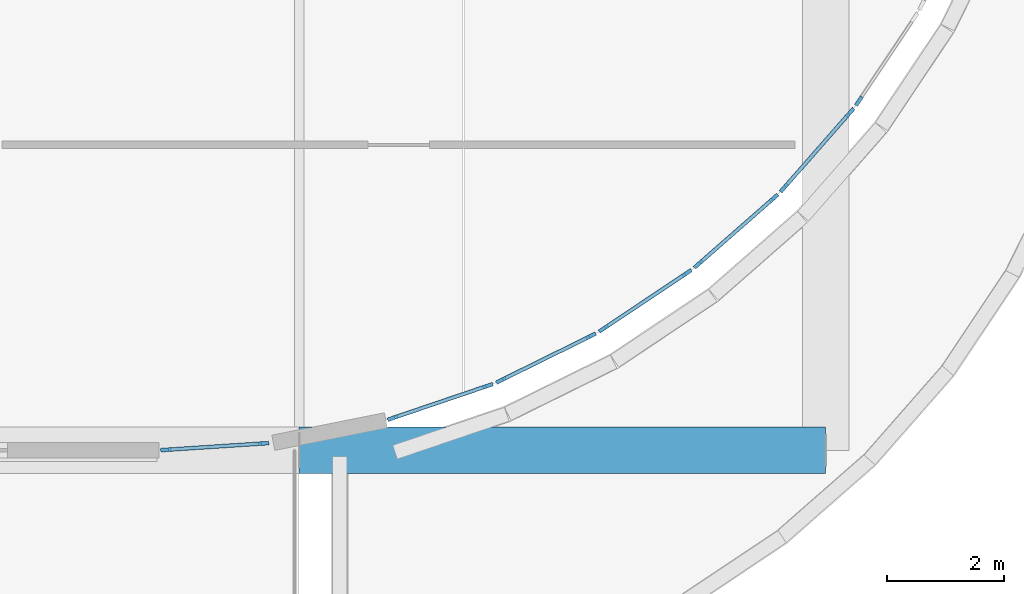
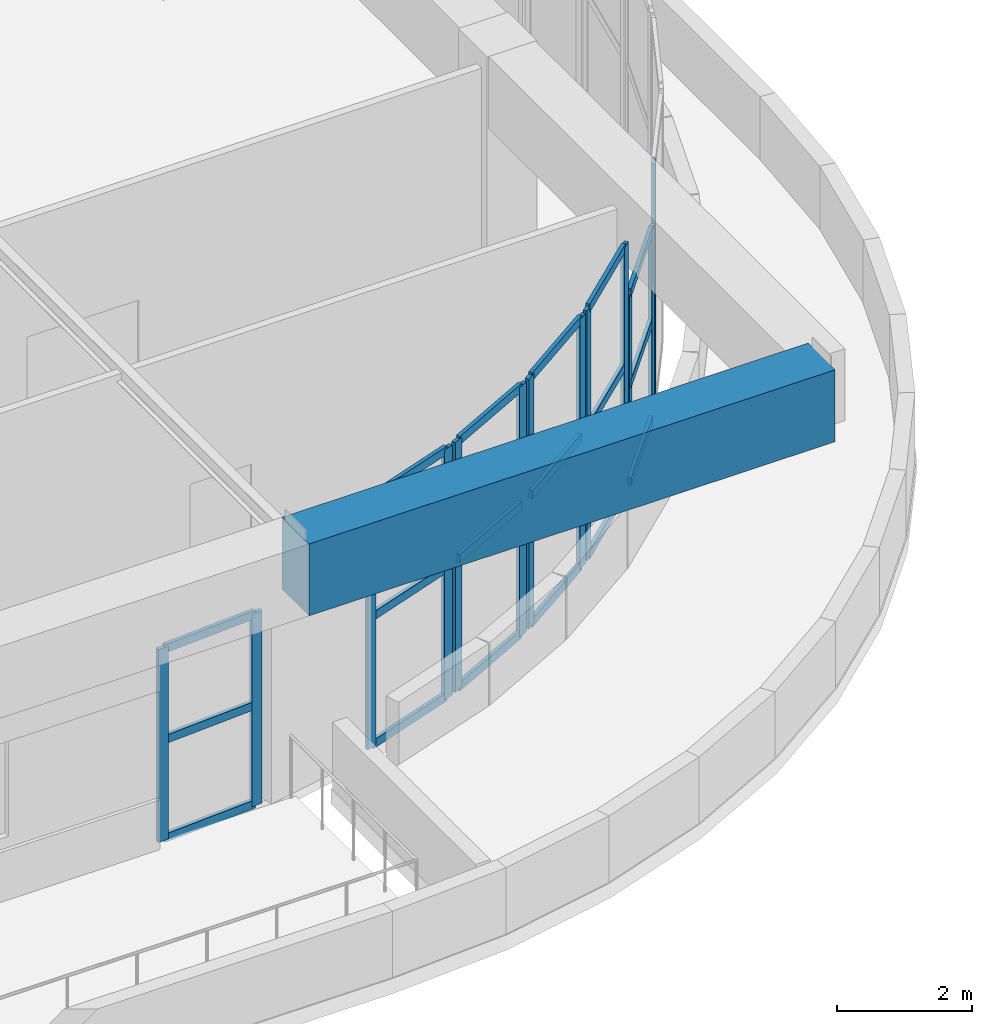
# One storey, part 10 of 67: 31 members, 1 beam, 7 elements without a shape of their own.
"""IFC4 building model written with IfcOpenShell, lengths in metres."""

from ifc_helpers import new_model, si_unit, direction, frame, origin, origin_2d, place, context, subcontext, project, spatial, rectangle, extrude, material, layer, layer_set, material_profile, profile_set, type_object, element, aggregate, save


model = new_model("IFC4")

# Units and contexts
model_context = context("Model", 3, precision=1e-05, world=origin(), true_north=direction((0.0, 1.0)))
body_context = subcontext(model_context, "Body", "Model", "MODEL_VIEW")
ifc_project = project(units=[si_unit("LENGTHUNIT", "METRE"), si_unit("AREAUNIT", "SQUARE_METRE"), si_unit("VOLUMEUNIT", "CUBIC_METRE"), si_unit("PLANEANGLEUNIT", "RADIAN"), si_unit("MASSUNIT", "GRAM", prefix="KILO")], contexts=[model_context])

# Site, building, storey
site_placement = place(None, origin())
site = spatial("IfcSite", under=ifc_project, at=site_placement, CompositionType="ELEMENT")
building_placement = place(site_placement, origin())
building = spatial("IfcBuilding", under=site, at=building_placement, Name="Cendralis Terraced Arcade", CompositionType="ELEMENT")
storey_placement = place(building_placement, frame((0.0, 0.0, 15.0)))
storey = spatial("IfcBuildingStorey", under=building, at=storey_placement, Name="L03", CompositionType="ELEMENT", Elevation=15.0)

# Curtain wall, member
ifc_material_1 = material(Name="Anodised aluminium EN AW-6063 T6", Category="aluminium")
ifc_layer = layer(ifc_material_1, 0.179931640625, Name="CW-UNIT-A")
ifc_layer_set = layer_set([ifc_layer], Name="Anodised aluminium EN AW-6063 T6")
curtain_wall_type = type_object("IfcCurtainWallType", Name="CW-UNIT-A", PredefinedType="USERDEFINED", material=ifc_layer_set)
curtain_wall_1_placement = place(storey_placement, origin())
curtain_wall_1 = element("IfcCurtainWall", 1, at=curtain_wall_1_placement, inside=storey, type_object=curtain_wall_type, Name="Exterior Unitised Facade CW-L03-0263", ObjectType="UNITISED FACADE", PredefinedType="USERDEFINED")
ifc_material_profile_1 = material_profile(ifc_material_1, rectangle(XDim=0.06494140625, YDim=0.179931640625, at=origin_2d()), Name="ALU-MUL-65x180")
ifc_profile_set_1 = profile_set([ifc_material_profile_1], Name="Anodised aluminium EN AW-6063 T6")
member_type_1 = type_object("IfcMemberType", Name="CW-UNIT-A-MUL", PredefinedType="MULLION", material=ifc_profile_set_1)
member_1_placement = place(storey_placement, frame((130.768310546875, 15.5703125, 0.0), z_axis=(0.0, 0.0, 1.0), x_axis=(0.831471454125, -0.555567476528, 0.0)))
member_1 = element("IfcMember", 2, at=member_1_placement, type_object=member_type_1, Name="CW-U1 mullion 2", PredefinedType="MULLION", context=body_context, shape_type="SweptSolid", body=[
    extrude(rectangle(XDim=0.06494140625, YDim=0.179931640625, at=origin_2d()), origin(), (0.0, 0.0, 1.0), 4.52001953125),
])
aggregate(curtain_wall_1, [member_1])

# Curtain wall, members
curtain_wall_2_placement = place(storey_placement, origin())
curtain_wall_2 = element("IfcCurtainWall", 3, at=curtain_wall_2_placement, inside=storey, type_object=curtain_wall_type, Name="Exterior Unitised Facade CW-L03-0264", ObjectType="UNITISED FACADE", PredefinedType="USERDEFINED")
member_2_placement = place(storey_placement, frame((130.61962890625, 15.37646484375, 0.0), z_axis=(0.0, 0.0, 1.0), x_axis=(0.751804497477, -0.659386076266, 0.0)))
member_2 = element("IfcMember", 4, at=member_2_placement, type_object=member_type_1, Name="CW-U1 mullion 1", PredefinedType="MULLION", context=body_context, shape_type="SweptSolid", body=[
    extrude(rectangle(XDim=0.06494140625, YDim=0.179931640625, at=origin_2d()), origin(), (0.0, 0.0, 1.0), 3.489990234375),
])
member_3_placement = place(storey_placement, frame((129.4873046875, 14.08544921875, 0.0), z_axis=(0.0, 0.0, 1.0), x_axis=(0.751804497477, -0.659386076266, 0.0)))
member_3 = element("IfcMember", 5, at=member_3_placement, type_object=member_type_1, Name="CW-U1 mullion 2", PredefinedType="MULLION", context=body_context, shape_type="SweptSolid", body=[
    extrude(rectangle(XDim=0.06494140625, YDim=0.179931640625, at=origin_2d()), origin(), (0.0, 0.0, 1.0), 3.489990234375),
])

curtain_wall_3_placement = place(storey_placement, origin())
curtain_wall_3 = element("IfcCurtainWall", 6, at=curtain_wall_3_placement, inside=storey, type_object=curtain_wall_type, Name="Exterior Unitised Facade CW-L03-0265", ObjectType="UNITISED FACADE", PredefinedType="USERDEFINED")
member_4_placement = place(storey_placement, frame((129.314453125, 13.91259765625, 0.0), z_axis=(0.0, 0.0, 1.0), x_axis=(0.659386076266, -0.751804497477, 0.0)))
member_4 = element("IfcMember", 7, at=member_4_placement, type_object=member_type_1, Name="CW-U1 mullion 1", PredefinedType="MULLION", context=body_context, shape_type="SweptSolid", body=[
    extrude(rectangle(XDim=0.06494140625, YDim=0.179931640625, at=origin_2d()), origin(), (0.0, 0.0, 1.0), 4.52001953125),
])
member_5_placement = place(storey_placement, frame((128.0234375, 12.780517578125, 0.0), z_axis=(0.0, 0.0, 1.0), x_axis=(0.659386076266, -0.751804497477, 0.0)))
member_5 = element("IfcMember", 8, at=member_5_placement, type_object=member_type_1, Name="CW-U1 mullion 2", PredefinedType="MULLION", context=body_context, shape_type="SweptSolid", body=[
    extrude(rectangle(XDim=0.06494140625, YDim=0.179931640625, at=origin_2d()), origin(), (0.0, 0.0, 1.0), 4.52001953125),
])

curtain_wall_4_placement = place(storey_placement, origin())
curtain_wall_4 = element("IfcCurtainWall", 9, at=curtain_wall_4_placement, inside=storey, type_object=curtain_wall_type, Name="Exterior Unitised Facade CW-L03-0266", ObjectType="UNITISED FACADE", PredefinedType="USERDEFINED")
member_6_placement = place(storey_placement, frame((127.82958984375, 12.631591796875, 0.0), z_axis=(0.0, 0.0, 1.0), x_axis=(0.555567476528, -0.831471454125, 0.0)))
member_6 = element("IfcMember", 10, at=member_6_placement, type_object=member_type_1, Name="CW-U1 mullion 1", PredefinedType="MULLION", context=body_context, shape_type="SweptSolid", body=[
    extrude(rectangle(XDim=0.06494140625, YDim=0.179931640625, at=origin_2d()), origin(), (0.0, 0.0, 1.0), 4.52001953125),
])
member_7_placement = place(storey_placement, frame((126.40185546875, 11.677734375, 0.0), z_axis=(0.0, 0.0, 1.0), x_axis=(0.555567476528, -0.831471454125, 0.0)))
member_7 = element("IfcMember", 11, at=member_7_placement, type_object=member_type_1, Name="CW-U1 mullion 2", PredefinedType="MULLION", context=body_context, shape_type="SweptSolid", body=[
    extrude(rectangle(XDim=0.06494140625, YDim=0.179931640625, at=origin_2d()), origin(), (0.0, 0.0, 1.0), 4.52001953125),
])

curtain_wall_5_placement = place(storey_placement, origin())
curtain_wall_5 = element("IfcCurtainWall", 12, at=curtain_wall_5_placement, inside=storey, type_object=curtain_wall_type, Name="Exterior Unitised Facade CW-L03-0267", ObjectType="UNITISED FACADE", PredefinedType="USERDEFINED")
member_8_placement = place(storey_placement, frame((126.190185546875, 11.555419921875, 0.0), z_axis=(0.0, 0.0, 1.0), x_axis=(0.442291247495, -0.896871480419, 0.0)))
member_8 = element("IfcMember", 13, at=member_8_placement, type_object=member_type_1, Name="CW-U1 mullion 1", PredefinedType="MULLION", context=body_context, shape_type="SweptSolid", body=[
    extrude(rectangle(XDim=0.06494140625, YDim=0.179931640625, at=origin_2d()), origin(), (0.0, 0.0, 1.0), 4.52001953125),
])
member_9_placement = place(storey_placement, frame((124.650146484375, 10.7958984375, 0.0), z_axis=(0.0, 0.0, 1.0), x_axis=(0.442291247495, -0.896871480419, 0.0)))
member_9 = element("IfcMember", 14, at=member_9_placement, type_object=member_type_1, Name="CW-U1 mullion 2", PredefinedType="MULLION", context=body_context, shape_type="SweptSolid", body=[
    extrude(rectangle(XDim=0.06494140625, YDim=0.179931640625, at=origin_2d()), origin(), (0.0, 0.0, 1.0), 4.52001953125),
])

curtain_wall_6_placement = place(storey_placement, origin())
curtain_wall_6 = element("IfcCurtainWall", 15, at=curtain_wall_6_placement, inside=storey, type_object=curtain_wall_type, Name="Exterior Unitised Facade CW-L03-0268", ObjectType="UNITISED FACADE", PredefinedType="USERDEFINED")
member_10_placement = place(storey_placement, frame((124.42431640625, 10.702392578125, 0.0), z_axis=(0.0, 0.0, 1.0), x_axis=(0.321458077458, -0.946923811316, 0.0)))
member_10 = element("IfcMember", 16, at=member_10_placement, type_object=member_type_1, Name="CW-U1 mullion 1", PredefinedType="MULLION", context=body_context, shape_type="SweptSolid", body=[
    extrude(rectangle(XDim=0.06494140625, YDim=0.179931640625, at=origin_2d()), origin(), (0.0, 0.0, 1.0), 4.52001953125),
])
member_11_placement = place(storey_placement, frame((122.79833984375, 10.150390625, 0.0), z_axis=(0.0, 0.0, 1.0), x_axis=(0.321458077458, -0.946923811316, 0.0)))
member_11 = element("IfcMember", 17, at=member_11_placement, type_object=member_type_1, Name="CW-U1 mullion 2", PredefinedType="MULLION", context=body_context, shape_type="SweptSolid", body=[
    extrude(rectangle(XDim=0.06494140625, YDim=0.179931640625, at=origin_2d()), origin(), (0.0, 0.0, 1.0), 4.52001953125),
])

curtain_wall_7_placement = place(storey_placement, origin())
curtain_wall_7 = element("IfcCurtainWall", 18, at=curtain_wall_7_placement, inside=storey, type_object=curtain_wall_type, Name="Exterior Unitised Facade CW-L03-0269", ObjectType="UNITISED FACADE", PredefinedType="USERDEFINED")
member_12_placement = place(storey_placement, frame((120.590087890625, 9.71728515625, 0.0), z_axis=(0.0, 0.0, 1.0), x_axis=(0.065364618342, -0.997861446629, 0.0)))
member_12 = element("IfcMember", 19, at=member_12_placement, type_object=member_type_1, Name="CW-U1 mullion 1", PredefinedType="MULLION", context=body_context, shape_type="SweptSolid", body=[
    extrude(rectangle(XDim=0.06494140625, YDim=0.179931640625, at=origin_2d()), origin(), (0.0, 0.0, 1.0), 3.489990234375),
])
member_13_placement = place(storey_placement, frame((118.922119140625, 9.60791015625, 0.0), z_axis=(0.0, 0.0, 1.0), x_axis=(0.065364618342, -0.997861446629, 0.0)))
member_13 = element("IfcMember", 20, at=member_13_placement, type_object=member_type_1, Name="CW-U1 mullion 2", PredefinedType="MULLION", context=body_context, shape_type="SweptSolid", body=[
    extrude(rectangle(XDim=0.06494140625, YDim=0.179931640625, at=origin_2d()), origin(), (0.0, 0.0, 1.0), 3.489990234375),
])

# Member
ifc_material_profile_2 = material_profile(ifc_material_1, rectangle(XDim=0.06494140625, YDim=0.14990234375, at=origin_2d()), Name="ALU-TRN-65x150")
ifc_profile_set_2 = profile_set([ifc_material_profile_2], Name="Anodised aluminium EN AW-6063 T6")
member_type_2 = type_object("IfcMemberType", Name="CW-UNIT-A-TRN", PredefinedType="USERDEFINED", material=ifc_profile_set_2)
member_14_placement = place(storey_placement, frame((130.59814453125, 15.35205078125, 0.032470703125), z_axis=(-0.659341117172, -0.751843927425, 0.0), x_axis=(0.751843927425, -0.659341117172, 0.0)))
member_14 = element("IfcMember", 21, at=member_14_placement, type_object=member_type_2, Name="CW-U1 transom 1.1", ObjectType="TRANSOM", PredefinedType="USERDEFINED", context=body_context, shape_type="SweptSolid", body=[
    extrude(rectangle(XDim=0.06494140625, YDim=0.14990234375, at=origin_2d()), origin(), (0.0, 0.0, 1.0), 1.652099609375),
])

member_15_placement = place(storey_placement, frame((130.59814453125, 15.35205078125, 1.814697265625), z_axis=(-0.659341117172, -0.751843927425, 0.0), x_axis=(0.751843927425, -0.659341117172, 0.0)))
member_15 = element("IfcMember", 22, at=member_15_placement, type_object=member_type_2, Name="CW-U1 transom 1.2", ObjectType="TRANSOM", PredefinedType="USERDEFINED", context=body_context, shape_type="SweptSolid", body=[
    extrude(rectangle(XDim=0.06494140625, YDim=0.14990234375, at=origin_2d()), origin(), (0.0, 0.0, 1.0), 1.652099609375),
])

member_16_placement = place(storey_placement, frame((130.59814453125, 15.35205078125, 3.45751953125), z_axis=(-0.659341117172, -0.751843927425, 0.0), x_axis=(0.751843927425, -0.659341117172, 0.0)))
member_16 = element("IfcMember", 23, at=member_16_placement, type_object=member_type_2, Name="CW-U1 transom 1.3", ObjectType="TRANSOM", PredefinedType="USERDEFINED", context=body_context, shape_type="SweptSolid", body=[
    extrude(rectangle(XDim=0.06494140625, YDim=0.14990234375, at=origin_2d()), origin(), (0.0, 0.0, 1.0), 1.652099609375),
])

aggregate(curtain_wall_2, [member_2, member_3, member_14, member_15, member_16])

member_17_placement = place(storey_placement, frame((129.2900390625, 13.891357421875, 0.032470703125), z_axis=(-0.751770678098, -0.659424633717, 0.0), x_axis=(0.659424633717, -0.751770678098, 0.0)))
member_17 = element("IfcMember", 24, at=member_17_placement, type_object=member_type_2, Name="CW-U1 transom 1.1", ObjectType="TRANSOM", PredefinedType="USERDEFINED", context=body_context, shape_type="SweptSolid", body=[
    extrude(rectangle(XDim=0.06494140625, YDim=0.14990234375, at=origin_2d()), origin(), (0.0, 0.0, 1.0), 1.65234375),
])

member_18_placement = place(storey_placement, frame((129.2900390625, 13.891357421875, 2.350341796875), z_axis=(-0.751770678098, -0.659424633717, 0.0), x_axis=(0.659424633717, -0.751770678098, 0.0)))
member_18 = element("IfcMember", 25, at=member_18_placement, type_object=member_type_2, Name="CW-U1 transom 1.2", ObjectType="TRANSOM", PredefinedType="USERDEFINED", context=body_context, shape_type="SweptSolid", body=[
    extrude(rectangle(XDim=0.06494140625, YDim=0.14990234375, at=origin_2d()), origin(), (0.0, 0.0, 1.0), 1.65234375),
])

member_19_placement = place(storey_placement, frame((129.2900390625, 13.891357421875, 4.487548828125), z_axis=(-0.751770678098, -0.659424633717, 0.0), x_axis=(0.659424633717, -0.751770678098, 0.0)))
member_19 = element("IfcMember", 26, at=member_19_placement, type_object=member_type_2, Name="CW-U1 transom 1.3", ObjectType="TRANSOM", PredefinedType="USERDEFINED", context=body_context, shape_type="SweptSolid", body=[
    extrude(rectangle(XDim=0.06494140625, YDim=0.14990234375, at=origin_2d()), origin(), (0.0, 0.0, 1.0), 1.65234375),
])

aggregate(curtain_wall_3, [member_4, member_5, member_17, member_18, member_19])

member_20_placement = place(storey_placement, frame((127.802490234375, 12.613525390625, 0.032470703125), z_axis=(-0.831481424206, -0.555552554851, 0.0), x_axis=(0.555552554851, -0.831481424206, 0.0)))
member_20 = element("IfcMember", 27, at=member_20_placement, type_object=member_type_2, Name="CW-U1 transom 1.1", ObjectType="TRANSOM", PredefinedType="USERDEFINED", context=body_context, shape_type="SweptSolid", body=[
    extrude(rectangle(XDim=0.06494140625, YDim=0.14990234375, at=origin_2d()), origin(), (0.0, 0.0, 1.0), 1.65185546875),
])

member_21_placement = place(storey_placement, frame((127.802490234375, 12.613525390625, 2.350341796875), z_axis=(-0.831481424206, -0.555552554851, 0.0), x_axis=(0.555552554851, -0.831481424206, 0.0)))
member_21 = element("IfcMember", 28, at=member_21_placement, type_object=member_type_2, Name="CW-U1 transom 1.2", ObjectType="TRANSOM", PredefinedType="USERDEFINED", context=body_context, shape_type="SweptSolid", body=[
    extrude(rectangle(XDim=0.06494140625, YDim=0.14990234375, at=origin_2d()), origin(), (0.0, 0.0, 1.0), 1.65185546875),
])

member_22_placement = place(storey_placement, frame((127.802490234375, 12.613525390625, 4.487548828125), z_axis=(-0.831481424206, -0.555552554851, 0.0), x_axis=(0.555552554851, -0.831481424206, 0.0)))
member_22 = element("IfcMember", 29, at=member_22_placement, type_object=member_type_2, Name="CW-U1 transom 1.3", ObjectType="TRANSOM", PredefinedType="USERDEFINED", context=body_context, shape_type="SweptSolid", body=[
    extrude(rectangle(XDim=0.06494140625, YDim=0.14990234375, at=origin_2d()), origin(), (0.0, 0.0, 1.0), 1.65185546875),
])

aggregate(curtain_wall_4, [member_6, member_7, member_20, member_21, member_22])

member_23_placement = place(storey_placement, frame((126.160888671875, 11.541015625, 0.032470703125), z_axis=(-0.896866855431, -0.442300625853, 0.0), x_axis=(0.442300625853, -0.896866855431, 0.0)))
member_23 = element("IfcMember", 30, at=member_23_placement, type_object=member_type_2, Name="CW-U1 transom 1.1", ObjectType="TRANSOM", PredefinedType="USERDEFINED", context=body_context, shape_type="SweptSolid", body=[
    extrude(rectangle(XDim=0.06494140625, YDim=0.14990234375, at=origin_2d()), origin(), (0.0, 0.0, 1.0), 1.652099609375),
])

member_24_placement = place(storey_placement, frame((126.160888671875, 11.541015625, 2.350341796875), z_axis=(-0.896866855431, -0.442300625853, 0.0), x_axis=(0.442300625853, -0.896866855431, 0.0)))
member_24 = element("IfcMember", 31, at=member_24_placement, type_object=member_type_2, Name="CW-U1 transom 1.2", ObjectType="TRANSOM", PredefinedType="USERDEFINED", context=body_context, shape_type="SweptSolid", body=[
    extrude(rectangle(XDim=0.06494140625, YDim=0.14990234375, at=origin_2d()), origin(), (0.0, 0.0, 1.0), 1.652099609375),
])

member_25_placement = place(storey_placement, frame((126.160888671875, 11.541015625, 4.487548828125), z_axis=(-0.896866855431, -0.442300625853, 0.0), x_axis=(0.442300625853, -0.896866855431, 0.0)))
member_25 = element("IfcMember", 32, at=member_25_placement, type_object=member_type_2, Name="CW-U1 transom 1.3", ObjectType="TRANSOM", PredefinedType="USERDEFINED", context=body_context, shape_type="SweptSolid", body=[
    extrude(rectangle(XDim=0.06494140625, YDim=0.14990234375, at=origin_2d()), origin(), (0.0, 0.0, 1.0), 1.652099609375),
])

aggregate(curtain_wall_5, [member_8, member_9, member_23, member_24, member_25])

member_26_placement = place(storey_placement, frame((124.3935546875, 10.69189453125, 0.032470703125), z_axis=(-0.94694015461, -0.321409930755, 0.0), x_axis=(0.321409930755, -0.94694015461, 0.0)))
member_26 = element("IfcMember", 33, at=member_26_placement, type_object=member_type_2, Name="CW-U1 transom 1.1", ObjectType="TRANSOM", PredefinedType="USERDEFINED", context=body_context, shape_type="SweptSolid", body=[
    extrude(rectangle(XDim=0.06494140625, YDim=0.14990234375, at=origin_2d()), origin(), (0.0, 0.0, 1.0), 1.652099609375),
])

member_27_placement = place(storey_placement, frame((124.3935546875, 10.69189453125, 2.350341796875), z_axis=(-0.94694015461, -0.321409930755, 0.0), x_axis=(0.321409930755, -0.94694015461, 0.0)))
member_27 = element("IfcMember", 34, at=member_27_placement, type_object=member_type_2, Name="CW-U1 transom 1.2", ObjectType="TRANSOM", PredefinedType="USERDEFINED", context=body_context, shape_type="SweptSolid", body=[
    extrude(rectangle(XDim=0.06494140625, YDim=0.14990234375, at=origin_2d()), origin(), (0.0, 0.0, 1.0), 1.652099609375),
])

member_28_placement = place(storey_placement, frame((124.3935546875, 10.69189453125, 4.487548828125), z_axis=(-0.94694015461, -0.321409930755, 0.0), x_axis=(0.321409930755, -0.94694015461, 0.0)))
member_28 = element("IfcMember", 35, at=member_28_placement, type_object=member_type_2, Name="CW-U1 transom 1.3", ObjectType="TRANSOM", PredefinedType="USERDEFINED", context=body_context, shape_type="SweptSolid", body=[
    extrude(rectangle(XDim=0.06494140625, YDim=0.14990234375, at=origin_2d()), origin(), (0.0, 0.0, 1.0), 1.652099609375),
])

aggregate(curtain_wall_6, [member_10, member_11, member_26, member_27, member_28])

member_29_placement = place(storey_placement, frame((120.5576171875, 9.715087890625, 0.032470703125), z_axis=(-0.997862476256, -0.06534889808, 0.0), x_axis=(0.06534889808, -0.997862476256, 0.0)))
member_29 = element("IfcMember", 36, at=member_29_placement, type_object=member_type_2, Name="CW-U1 transom 1.1", ObjectType="TRANSOM", PredefinedType="USERDEFINED", context=body_context, shape_type="SweptSolid", body=[
    extrude(rectangle(XDim=0.06494140625, YDim=0.14990234375, at=origin_2d()), origin(), (0.0, 0.0, 1.0), 1.6064453125),
])

member_30_placement = place(storey_placement, frame((120.5576171875, 9.715087890625, 1.814697265625), z_axis=(-0.997862476256, -0.06534889808, 0.0), x_axis=(0.06534889808, -0.997862476256, 0.0)))
member_30 = element("IfcMember", 37, at=member_30_placement, type_object=member_type_2, Name="CW-U1 transom 1.2", ObjectType="TRANSOM", PredefinedType="USERDEFINED", context=body_context, shape_type="SweptSolid", body=[
    extrude(rectangle(XDim=0.06494140625, YDim=0.14990234375, at=origin_2d()), origin(), (0.0, 0.0, 1.0), 1.6064453125),
])

member_31_placement = place(storey_placement, frame((120.5576171875, 9.715087890625, 3.45751953125), z_axis=(-0.997862476256, -0.06534889808, 0.0), x_axis=(0.06534889808, -0.997862476256, 0.0)))
member_31 = element("IfcMember", 38, at=member_31_placement, type_object=member_type_2, Name="CW-U1 transom 1.3", ObjectType="TRANSOM", PredefinedType="USERDEFINED", context=body_context, shape_type="SweptSolid", body=[
    extrude(rectangle(XDim=0.06494140625, YDim=0.14990234375, at=origin_2d()), origin(), (0.0, 0.0, 1.0), 1.6064453125),
])

aggregate(curtain_wall_7, [member_12, member_13, member_29, member_30, member_31])

# Beam
ifc_material_2 = material(Name="Concrete f'c 35 MPa", Category="concrete")
ifc_material_profile_3 = material_profile(ifc_material_2, rectangle(XDim=0.800048828125, YDim=1.300048828125, at=origin_2d()), Name="RC-RB-800x1300", Category="LoadBearing")
ifc_profile_set_3 = profile_set([ifc_material_profile_3], Name="Concrete f'c 35 MPa")
beam_type = type_object("IfcBeamType", Name="RB-800x1300", PredefinedType="BEAM", material=ifc_profile_set_3)
beam_placement = place(storey_placement, frame((121.199951171875, 9.60009765625, 4.14990234375), z_axis=(1.0, 0.0, 0.0), x_axis=(0.0, 1.0, 0.0)))
element("IfcBeam", 39, at=beam_placement, inside=storey, type_object=beam_type, Name="Gourmet Food Hall Barrel Vault Springing Ring Beam RB-FH-S-07", PredefinedType="BEAM", context=body_context, shape_type="SweptSolid", body=[
    extrude(rectangle(XDim=0.800048828125, YDim=1.300048828125, at=origin_2d()), origin(), (0.0, 0.0, 1.0), 9.0),
])

save(model, "model.ifc")
